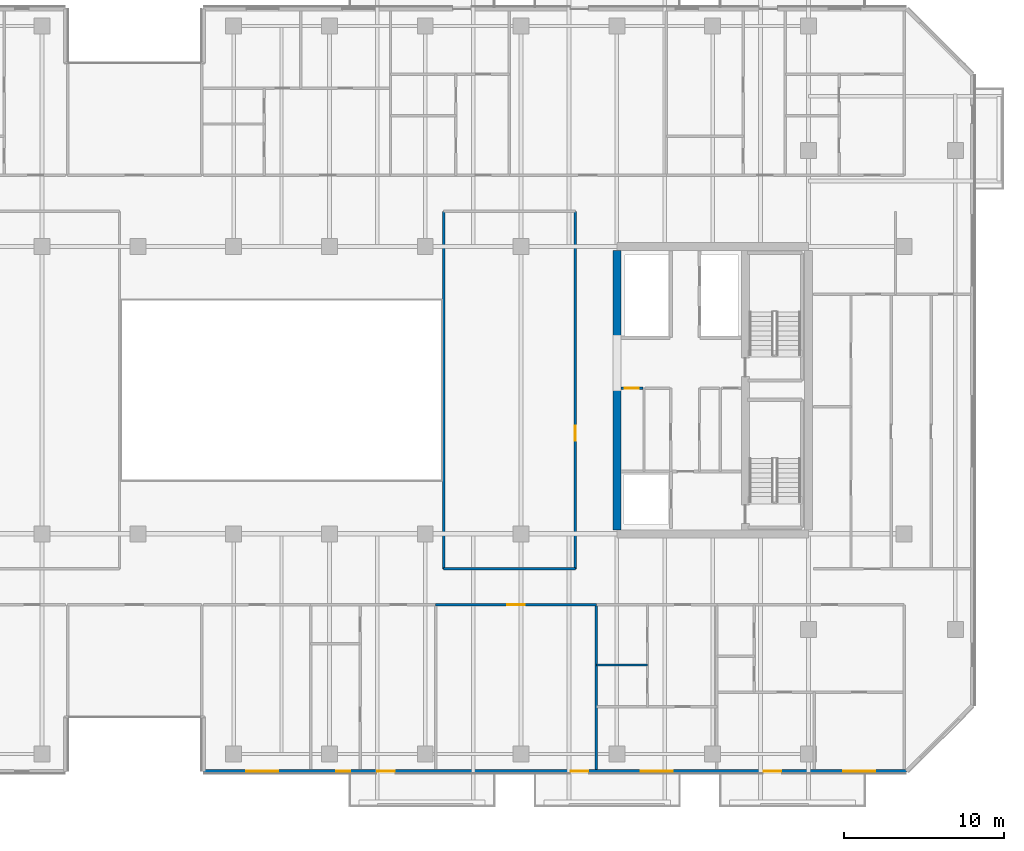
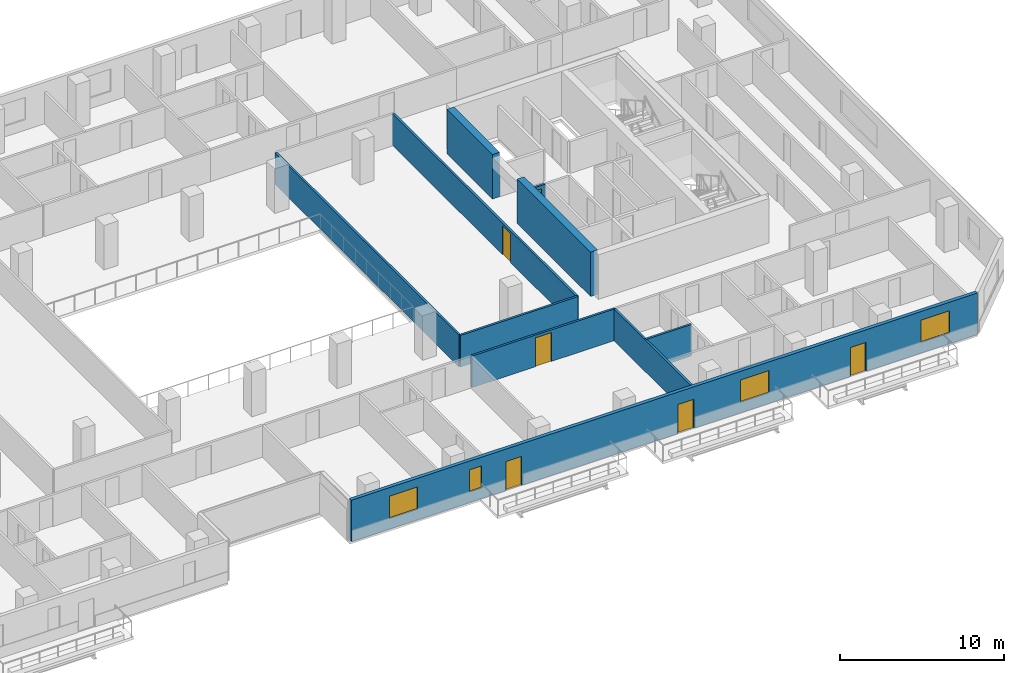
# One storey, part 12 of 23: 10 walls, 6 doors, 4 windows, 10 openings.
"""IFC4 building model written with IfcOpenShell, lengths in metres."""

from ifc_helpers import new_model, si_unit, direction, frame, frame_2d, origin, place, context, subcontext, project, spatial, rectangle, extrude, material, layer, layer_set, type_object, element, fill, save


model = new_model("IFC4")

# Units and contexts
model_context = context("Model", 3, precision=1e-05, world=origin(), true_north=direction((0.0, 1.0)))
body_context = subcontext(model_context, "Body", "Model", "MODEL_VIEW")
ifc_project = project(units=[si_unit("LENGTHUNIT", "METRE"), si_unit("AREAUNIT", "SQUARE_METRE"), si_unit("VOLUMEUNIT", "CUBIC_METRE"), si_unit("PLANEANGLEUNIT", "RADIAN"), si_unit("MASSUNIT", "GRAM", prefix="KILO")], contexts=[model_context])

# Site, building, storey
site_placement = place(None, origin())
site = spatial("IfcSite", under=ifc_project, at=site_placement, CompositionType="ELEMENT")
building_placement = place(site_placement, origin())
building = spatial("IfcBuilding", under=site, at=building_placement, Name="Tanjung Sevakor Pilgrim Tower", CompositionType="ELEMENT")
storey_placement = place(building_placement, frame((0.0, 0.0, 88.77001953125)))
storey = spatial("IfcBuildingStorey", under=building, at=storey_placement, Name="L24", CompositionType="ELEMENT", Elevation=88.77001953125)

# Walls
ifc_material_1 = material(Name="Concrete C60/75", Category="concrete")
ifc_layer_1 = layer(ifc_material_1, 0.5)
ifc_layer_set_1 = layer_set([ifc_layer_1], Name="WALL-CW-500")
wall_type_1 = type_object("IfcWallType", Name="WALL-CW-500", PredefinedType="SHEAR", material=ifc_layer_set_1)
wall_1_placement = place(storey_placement, frame((78.0, 24.85009765625, 0.0), z_axis=(0.0, 0.0, 1.0), x_axis=(0.0, 1.0, 0.0)))
element("IfcWall", 1, at=wall_1_placement, inside=storey, type_object=wall_type_1, Name="L24 E Core Inner Shear Wall South", PredefinedType="SHEAR", context=body_context, shape_type="SweptSolid", body=[
    extrude(rectangle(XDim=8.949951171875, YDim=0.5, at=frame_2d((4.47509765625, 0.0))), origin(), (0.0, 0.0, 1.0), 3.300048828125),
])
wall_2_placement = place(storey_placement, frame((78.0, 36.800048828125, 0.0), z_axis=(0.0, 0.0, 1.0), x_axis=(0.0, 1.0, 0.0)))
element("IfcWall", 2, at=wall_2_placement, inside=storey, type_object=wall_type_1, Name="L24 E Core Inner Shear Wall North", PredefinedType="SHEAR", context=body_context, shape_type="SweptSolid", body=[
    extrude(rectangle(XDim=5.550048828125, YDim=0.5, at=frame_2d((2.77490234375, 0.0))), origin(), (0.0, 0.0, 1.0), 3.300048828125),
])

# Wall, opening, door
ifc_material_2 = material(Name="Concrete C40/50", Category="concrete")
ifc_layer_2 = layer(ifc_material_2, 0.14990234375)
ifc_layer_set_2 = layer_set([ifc_layer_2], Name="WT-COMP-150")
wall_type_2 = type_object("IfcWallType", Name="WT-COMP-150", PredefinedType="SOLIDWALL", material=ifc_layer_set_2)
wall_3_placement = place(storey_placement, frame((78.27001953125, 33.719970703125, 0.0), z_axis=(0.0, 0.0, 1.0), x_axis=(1.0, 0.0, 0.0)))
wall_3 = element("IfcWall", 3, at=wall_3_placement, inside=storey, type_object=wall_type_2, Name="L24 Partition IW-L24-023", PredefinedType="SOLIDWALL", context=body_context, shape_type="SweptSolid", body=[
    extrude(rectangle(XDim=1.369873046875, YDim=0.14990234375, at=frame_2d((0.68505859375, 0.0))), origin(), (0.0, 0.0, 1.0), 2.35009765625),
])
opening_1_placement = place(wall_3_placement, frame((0.239990234375, 0.0, 0.0)))
opening_1 = element("IfcOpeningElement", 4, at=opening_1_placement, cuts=wall_3, Name="Opening ID-FD3", PredefinedType="OPENING", context=body_context, shape_type="SweptSolid", body=[
    extrude(rectangle(XDim=0.85009765625, YDim=2.10009765625, at=frame_2d((0.425048828125, 1.050048828125))), frame((0.0, 0.0849609375, 0.0), z_axis=(0.0, -1.0, 0.0), x_axis=(1.0, 0.0, 0.0)), (0.0, 0.0, 1.0), 0.169921875),
])
ifc_material_3 = material(Name="Fire-Rated Timber", Category="wood")
door_type_1 = type_object("IfcDoorType", Name="DT-FIRE-850", OperationType="NOTDEFINED", PredefinedType="DOOR", material=ifc_material_3)
door_1_placement = place(opening_1_placement, origin())
door_1 = element("IfcDoor", 5, at=door_1_placement, inside=storey, type_object=door_type_1, Name="L24 Service Store Door", OperationType="SINGLE_SWING_LEFT", OverallHeight=2.10009765625, OverallWidth=0.85009765625, PredefinedType="DOOR", context=body_context, shape_type="SweptSolid", body=[
    extrude(rectangle(XDim=0.85009765625, YDim=2.10009765625, at=frame_2d((0.425048828125, 1.050048828125))), frame((0.0, 0.02490234375, 0.0), z_axis=(0.0, -1.0, 0.0), x_axis=(1.0, 0.0, 0.0)), (0.0, 0.0, 1.0), 0.050048828125),
])
fill(opening_1, door_1)

# Walls
wall_4_placement = place(storey_placement, frame((67.14990234375, 22.39990234375, 0.0), z_axis=(0.0, 0.0, 1.0), x_axis=(1.0, 0.0, 0.0)))
element("IfcWall", 6, at=wall_4_placement, inside=storey, type_object=wall_type_2, Name="L24 Partition IW-L24-033", PredefinedType="SOLIDWALL", context=body_context, shape_type="SweptSolid", body=[
    extrude(rectangle(XDim=8.25, YDim=0.14990234375, at=frame_2d((4.125, 0.0))), origin(), (0.0, 0.0, 1.0), 2.35009765625),
])
wall_5_placement = place(storey_placement, frame((67.14990234375, 22.39990234375, 0.0), z_axis=(0.0, 0.0, 1.0), x_axis=(0.0, 1.0, 0.0)))
element("IfcWall", 7, at=wall_5_placement, inside=storey, type_object=wall_type_2, Name="L24 Partition IW-L24-035", PredefinedType="SOLIDWALL", context=body_context, shape_type="SweptSolid", body=[
    extrude(rectangle(XDim=22.400146484375, YDim=0.14990234375, at=frame_2d((11.2001953125, 0.0))), origin(), (0.0, 0.0, 1.0), 2.35009765625),
])

# Wall, opening, door
wall_6_placement = place(storey_placement, frame((75.39990234375, 22.39990234375, 0.0), z_axis=(0.0, 0.0, 1.0), x_axis=(0.0, 1.0, 0.0)))
wall_6 = element("IfcWall", 8, at=wall_6_placement, inside=storey, type_object=wall_type_2, Name="L24 Partition IW-L24-036", PredefinedType="SOLIDWALL", context=body_context, shape_type="SweptSolid", body=[
    extrude(rectangle(XDim=22.400146484375, YDim=0.14990234375, at=frame_2d((11.2001953125, 0.0))), origin(), (0.0, 0.0, 1.0), 2.35009765625),
])
opening_2_placement = place(wall_6_placement, frame((8.02490234375, 0.0, 0.0)))
opening_2 = element("IfcOpeningElement", 9, at=opening_2_placement, cuts=wall_6, Name="Opening ID-RM1", PredefinedType="OPENING", context=body_context, shape_type="SweptSolid", body=[
    extrude(rectangle(XDim=0.949951171875, YDim=2.14990234375, at=frame_2d((0.47509765625, 1.074951171875))), frame((0.0, 0.0849609375, 0.0), z_axis=(0.0, -1.0, 0.0), x_axis=(1.0, 0.0, 0.0)), (0.0, 0.0, 1.0), 0.169921875),
])
ifc_material_4 = material(Name="Hardwood Timber", Category="wood")
door_type_2 = type_object("IfcDoorType", Name="DT-INT-950", OperationType="NOTDEFINED", PredefinedType="DOOR", material=ifc_material_4)
door_2_placement = place(opening_2_placement, origin())
door_2 = element("IfcDoor", 10, at=door_2_placement, inside=storey, type_object=door_type_2, Name="L24 Central East Room Door", OperationType="SINGLE_SWING_RIGHT", OverallHeight=2.14990234375, OverallWidth=0.949951171875, PredefinedType="DOOR", context=body_context, shape_type="SweptSolid", body=[
    extrude(rectangle(XDim=0.949951171875, YDim=2.14990234375, at=frame_2d((0.47509765625, 1.074951171875))), frame((0.0, 0.02490234375, 0.0), z_axis=(0.0, -1.0, 0.0), x_axis=(1.0, 0.0, 0.0)), (0.0, 0.0, 1.0), 0.050048828125),
])
fill(opening_2, door_2)

# Wall
wall_7_placement = place(storey_placement, frame((76.715087890625, 9.85009765625, 0.0), z_axis=(0.0, 0.0, 1.0), x_axis=(0.0, 1.0, 0.0)))
element("IfcWall", 11, at=wall_7_placement, inside=storey, type_object=wall_type_2, Name="L24 Partition IW-L24-071", PredefinedType="SOLIDWALL", context=body_context, shape_type="SweptSolid", body=[
    extrude(rectangle(XDim=10.2998046875, YDim=0.14990234375, at=frame_2d((5.14990234375, 0.0))), origin(), (0.0, 0.0, 1.0), 2.35009765625),
])

# Wall, opening, door
wall_8_placement = place(storey_placement, frame((66.653564453125, 20.14990234375, 0.0), z_axis=(0.0, 0.0, 1.0), x_axis=(1.0, 0.0, 0.0)))
wall_8 = element("IfcWall", 12, at=wall_8_placement, inside=storey, type_object=wall_type_2, Name="L24 Partition IW-L24-072", PredefinedType="SOLIDWALL", context=body_context, shape_type="SweptSolid", body=[
    extrude(rectangle(XDim=10.0615234375, YDim=0.14990234375, at=frame_2d((5.03076171875, 0.0))), origin(), (0.0, 0.0, 1.0), 2.35009765625),
])
opening_3_placement = place(wall_8_placement, frame((4.48095703125, 0.0, 0.0)))
opening_3 = element("IfcOpeningElement", 13, at=opening_3_placement, cuts=wall_8, Name="Opening ID-FD0", PredefinedType="OPENING", context=body_context, shape_type="SweptSolid", body=[
    extrude(rectangle(XDim=1.10009765625, YDim=2.14990234375, at=frame_2d((0.550048828125, 1.074951171875))), frame((0.0, 0.0849609375, 0.0), z_axis=(0.0, -1.0, 0.0), x_axis=(1.0, 0.0, 0.0)), (0.0, 0.0, 1.0), 0.169921875),
])
ifc_material_5 = material(Name="Fire-Rated Steel S355J2", Category="steel")
door_type_3 = type_object("IfcDoorType", Name="DT-FIRE-1100", OperationType="NOTDEFINED", PredefinedType="DOOR", material=ifc_material_5)
door_3_placement = place(opening_3_placement, origin())
door_3 = element("IfcDoor", 14, at=door_3_placement, inside=storey, type_object=door_type_3, Name="Seminar Room Door", OperationType="SINGLE_SWING_RIGHT", OverallHeight=2.14990234375, OverallWidth=1.10009765625, PredefinedType="DOOR", context=body_context, shape_type="SweptSolid", body=[
    extrude(rectangle(XDim=1.10009765625, YDim=2.14990234375, at=frame_2d((0.550048828125, 1.074951171875))), frame((0.0, 0.02490234375, 0.0), z_axis=(0.0, -1.0, 0.0), x_axis=(1.0, 0.0, 0.0)), (0.0, 0.0, 1.0), 0.050048828125),
])
fill(opening_3, door_3)

# Wall, openings, doors, windows
ifc_material_6 = material(Name="Precast concrete C45/55", Category="concrete")
ifc_layer_3 = layer(ifc_material_6, 0.25)
ifc_layer_set_3 = layer_set([ifc_layer_3], Name="WT-EW-STN3")
wall_type_3 = type_object("IfcWallType", Name="WT-EW-STN3", PredefinedType="SOLIDWALL", material=ifc_layer_set_3)
wall_9_placement = place(storey_placement, frame((52.125, 9.72509765625, 0.0), z_axis=(0.0, 0.0, 1.0), x_axis=(1.0, 0.0, 0.0)))
wall_9 = element("IfcWall", 15, at=wall_9_placement, inside=storey, type_object=wall_type_3, Name="L24 MAIN Exterior Wall 5", PredefinedType="SOLIDWALL", context=body_context, shape_type="SweptSolid", body=[
    extrude(rectangle(XDim=44.023193359375, YDim=0.25, at=frame_2d((22.01171875, 0.0))), origin(), (0.0, 0.0, 1.0), 3.080078125),
])
opening_4_placement = place(wall_9_placement, frame((10.875, 0.0, 0.0)))
opening_4 = element("IfcOpeningElement", 16, at=opening_4_placement, cuts=wall_9, Name="Opening ED-BAL-1100", PredefinedType="OPENING", context=body_context, shape_type="SweptSolid", body=[
    extrude(rectangle(XDim=1.10009765625, YDim=2.14990234375, at=frame_2d((0.550048828125, 1.074951171875))), frame((0.0, 0.135009765625, 0.0), z_axis=(0.0, -1.0, 0.0), x_axis=(1.0, 0.0, 0.0)), (0.0, 0.0, 1.0), 0.27001953125),
])
opening_5_placement = place(wall_9_placement, frame((22.97509765625, 0.0, 0.0)))
opening_5 = element("IfcOpeningElement", 17, at=opening_5_placement, cuts=wall_9, Name="Opening ED-BAL-1100", PredefinedType="OPENING", context=body_context, shape_type="SweptSolid", body=[
    extrude(rectangle(XDim=1.10009765625, YDim=2.14990234375, at=frame_2d((0.550048828125, 1.074951171875))), frame((0.0, 0.135009765625, 0.0), z_axis=(0.0, -1.0, 0.0), x_axis=(1.0, 0.0, 0.0)), (0.0, 0.0, 1.0), 0.27001953125),
])
opening_6_placement = place(wall_9_placement, frame((35.074951171875, 0.0, 0.0)))
opening_6 = element("IfcOpeningElement", 18, at=opening_6_placement, cuts=wall_9, Name="Opening ED-BAL-1100", PredefinedType="OPENING", context=body_context, shape_type="SweptSolid", body=[
    extrude(rectangle(XDim=1.10009765625, YDim=2.14990234375, at=frame_2d((0.550048828125, 1.074951171875))), frame((0.0, 0.135009765625, 0.0), z_axis=(0.0, -1.0, 0.0), x_axis=(1.0, 0.0, 0.0)), (0.0, 0.0, 1.0), 0.27001953125),
])
opening_7_placement = place(wall_9_placement, frame((2.6689453125, 0.0, 0.780029296875)))
opening_7 = element("IfcOpeningElement", 19, at=opening_7_placement, cuts=wall_9, Name="Opening WN-Z2-1660", PredefinedType="OPENING", context=body_context, shape_type="SweptSolid", body=[
    extrude(rectangle(XDim=2.0, YDim=1.659912109375, at=frame_2d((1.0, 0.830078125))), frame((0.0, 0.135009765625, 0.0), z_axis=(0.0, -1.0, 0.0), x_axis=(1.0, 0.0, 0.0)), (0.0, 0.0, 1.0), 0.27001953125),
])
opening_8_placement = place(wall_9_placement, frame((8.31396484375, 0.0, 0.780029296875)))
opening_8 = element("IfcOpeningElement", 20, at=opening_8_placement, cuts=wall_9, Name="Opening WN-SLM", PredefinedType="OPENING", context=body_context, shape_type="SweptSolid", body=[
    extrude(rectangle(XDim=0.85009765625, YDim=1.64990234375, at=frame_2d((0.425048828125, 0.824951171875))), frame((0.0, 0.135009765625, 0.0), z_axis=(0.0, -1.0, 0.0), x_axis=(1.0, 0.0, 0.0)), (0.0, 0.0, 1.0), 0.27001953125),
])
opening_9_placement = place(wall_9_placement, frame((27.36328125, 0.0, 0.780029296875)))
opening_9 = element("IfcOpeningElement", 21, at=opening_9_placement, cuts=wall_9, Name="Opening WN-Z2-1660", PredefinedType="OPENING", context=body_context, shape_type="SweptSolid", body=[
    extrude(rectangle(XDim=2.0, YDim=1.659912109375, at=frame_2d((1.0, 0.830078125))), frame((0.0, 0.135009765625, 0.0), z_axis=(0.0, -1.0, 0.0), x_axis=(1.0, 0.0, 0.0)), (0.0, 0.0, 1.0), 0.27001953125),
])
opening_10_placement = place(wall_9_placement, frame((40.0478515625, 0.0, 0.780029296875)))
opening_10 = element("IfcOpeningElement", 22, at=opening_10_placement, cuts=wall_9, Name="Opening WN-Z2-1660", PredefinedType="OPENING", context=body_context, shape_type="SweptSolid", body=[
    extrude(rectangle(XDim=2.0, YDim=1.659912109375, at=frame_2d((1.0, 0.830078125))), frame((0.0, 0.135009765625, 0.0), z_axis=(0.0, -1.0, 0.0), x_axis=(1.0, 0.0, 0.0)), (0.0, 0.0, 1.0), 0.27001953125),
])
ifc_material_7 = material(Name="Anodised Aluminium and Laminated Glass", Category="aluminium")
door_type_4 = type_object("IfcDoorType", Name="DTYP-ED-BAL-1100", OperationType="NOTDEFINED", PredefinedType="DOOR", material=ifc_material_7)
door_4_placement = place(opening_4_placement, frame((1.10009765625, 0.0, 0.0), z_axis=(0.0, 0.0, 1.0), x_axis=(-1.0, 0.0, 0.0)))
door_4 = element("IfcDoor", 23, at=door_4_placement, inside=storey, type_object=door_type_4, Name="L24 Balcony Door MAIN-S2", OperationType="SINGLE_SWING_LEFT", OverallHeight=2.14990234375, OverallWidth=1.10009765625, PredefinedType="DOOR", context=body_context, shape_type="SweptSolid", body=[
    extrude(rectangle(XDim=1.10009765625, YDim=2.14990234375, at=frame_2d((0.550048828125, 1.074951171875))), frame((0.0, 0.02490234375, 0.0), z_axis=(0.0, -1.0, 0.0), x_axis=(1.0, 0.0, 0.0)), (0.0, 0.0, 1.0), 0.050048828125),
])
fill(opening_4, door_4)
door_5_placement = place(opening_5_placement, frame((1.10009765625, 0.0, 0.0), z_axis=(0.0, 0.0, 1.0), x_axis=(-1.0, 0.0, 0.0)))
door_5 = element("IfcDoor", 24, at=door_5_placement, inside=storey, type_object=door_type_4, Name="L24 Balcony Door MAIN-S3", OperationType="SINGLE_SWING_RIGHT", OverallHeight=2.14990234375, OverallWidth=1.10009765625, PredefinedType="DOOR", context=body_context, shape_type="SweptSolid", body=[
    extrude(rectangle(XDim=1.10009765625, YDim=2.14990234375, at=frame_2d((0.550048828125, 1.074951171875))), frame((0.0, 0.02490234375, 0.0), z_axis=(0.0, -1.0, 0.0), x_axis=(1.0, 0.0, 0.0)), (0.0, 0.0, 1.0), 0.050048828125),
])
fill(opening_5, door_5)
door_6_placement = place(opening_6_placement, frame((1.10009765625, 0.0, 0.0), z_axis=(0.0, 0.0, 1.0), x_axis=(-1.0, 0.0, 0.0)))
door_6 = element("IfcDoor", 25, at=door_6_placement, inside=storey, type_object=door_type_4, Name="L24 Balcony Door MAIN-S4", OperationType="SINGLE_SWING_LEFT", OverallHeight=2.14990234375, OverallWidth=1.10009765625, PredefinedType="DOOR", context=body_context, shape_type="SweptSolid", body=[
    extrude(rectangle(XDim=1.10009765625, YDim=2.14990234375, at=frame_2d((0.550048828125, 1.074951171875))), frame((0.0, 0.02490234375, 0.0), z_axis=(0.0, -1.0, 0.0), x_axis=(1.0, 0.0, 0.0)), (0.0, 0.0, 1.0), 0.050048828125),
])
fill(opening_6, door_6)
ifc_material_8 = material(Name="Thermally Broken Aluminium and Low-E Glass", Category="aluminium")
window_type_1 = type_object("IfcWindowType", Name="WTYP-WN-SLM", PartitioningType="SINGLE_PANEL", PredefinedType="WINDOW", material=ifc_material_8)
window_1_placement = place(opening_8_placement, origin())
window_1 = element("IfcWindow", 26, at=window_1_placement, inside=storey, type_object=window_type_1, Name="L24 Facade Window 02", OverallHeight=1.64990234375, OverallWidth=0.85009765625, PartitioningType="SINGLE_PANEL", PredefinedType="WINDOW", context=body_context, shape_type="SweptSolid", body=[
    extrude(rectangle(XDim=0.85009765625, YDim=1.64990234375, at=frame_2d((0.425048828125, 0.824951171875))), frame((0.0, 0.030029296875, 0.0), z_axis=(0.0, -1.0, 0.0), x_axis=(1.0, 0.0, 0.0)), (0.0, 0.0, 1.0), 0.06005859375),
])
fill(opening_8, window_1)
ifc_material_9 = material(Name="Thermally Broken Aluminium and Low-E Glass", Category="aluminium")
window_type_2 = type_object("IfcWindowType", Name="WTYP-WN-Z2-1660", PartitioningType="DOUBLE_PANEL_VERTICAL", PredefinedType="WINDOW", material=ifc_material_9)
window_2_placement = place(opening_7_placement, origin())
window_2 = element("IfcWindow", 27, at=window_2_placement, inside=storey, type_object=window_type_2, Name="L24 Facade Window 01", OverallHeight=1.659912109375, OverallWidth=2.0, PartitioningType="SINGLE_PANEL", PredefinedType="WINDOW", context=body_context, shape_type="SweptSolid", body=[
    extrude(rectangle(XDim=2.0, YDim=1.659912109375, at=frame_2d((1.0, 0.830078125))), frame((0.0, 0.030029296875, 0.0), z_axis=(0.0, -1.0, 0.0), x_axis=(1.0, 0.0, 0.0)), (0.0, 0.0, 1.0), 0.06005859375),
])
fill(opening_7, window_2)
window_3_placement = place(opening_9_placement, origin())
window_3 = element("IfcWindow", 28, at=window_3_placement, inside=storey, type_object=window_type_2, Name="L24 Facade Window 03", OverallHeight=1.659912109375, OverallWidth=2.0, PartitioningType="SINGLE_PANEL", PredefinedType="WINDOW", context=body_context, shape_type="SweptSolid", body=[
    extrude(rectangle(XDim=2.0, YDim=1.659912109375, at=frame_2d((1.0, 0.830078125))), frame((0.0, 0.030029296875, 0.0), z_axis=(0.0, -1.0, 0.0), x_axis=(1.0, 0.0, 0.0)), (0.0, 0.0, 1.0), 0.06005859375),
])
fill(opening_9, window_3)
window_4_placement = place(opening_10_placement, origin())
window_4 = element("IfcWindow", 29, at=window_4_placement, inside=storey, type_object=window_type_2, Name="L24 Facade Window 04", OverallHeight=1.659912109375, OverallWidth=2.0, PartitioningType="SINGLE_PANEL", PredefinedType="WINDOW", context=body_context, shape_type="SweptSolid", body=[
    extrude(rectangle(XDim=2.0, YDim=1.659912109375, at=frame_2d((1.0, 0.830078125))), frame((0.0, 0.030029296875, 0.0), z_axis=(0.0, -1.0, 0.0), x_axis=(1.0, 0.0, 0.0)), (0.0, 0.0, 1.0), 0.06005859375),
])
fill(opening_10, window_4)

# Wall
ifc_material_10 = material(Name="Gypsum Board Partition", Category="gypsum board")
ifc_layer_4 = layer(ifc_material_10, 0.14990234375)
ifc_layer_set_4 = layer_set([ifc_layer_4], Name="WT-PART-150")
wall_type_4 = type_object("IfcWallType", Name="WT-PART-150", PredefinedType="PARTITIONING", material=ifc_layer_set_4)
wall_10_placement = place(storey_placement, frame((76.715087890625, 16.37939453125, 0.0), z_axis=(0.0, 0.0, 1.0), x_axis=(1.0, 0.0, 0.0)))
element("IfcWall", 30, at=wall_10_placement, inside=storey, type_object=wall_type_4, Name="L24 Partition IW-L24-074", PredefinedType="PARTITIONING", context=body_context, shape_type="SweptSolid", body=[
    extrude(rectangle(XDim=3.204833984375, YDim=0.14990234375, at=frame_2d((1.6025390625, 0.0))), origin(), (0.0, 0.0, 1.0), 2.35009765625),
])

save(model, "model.ifc")
